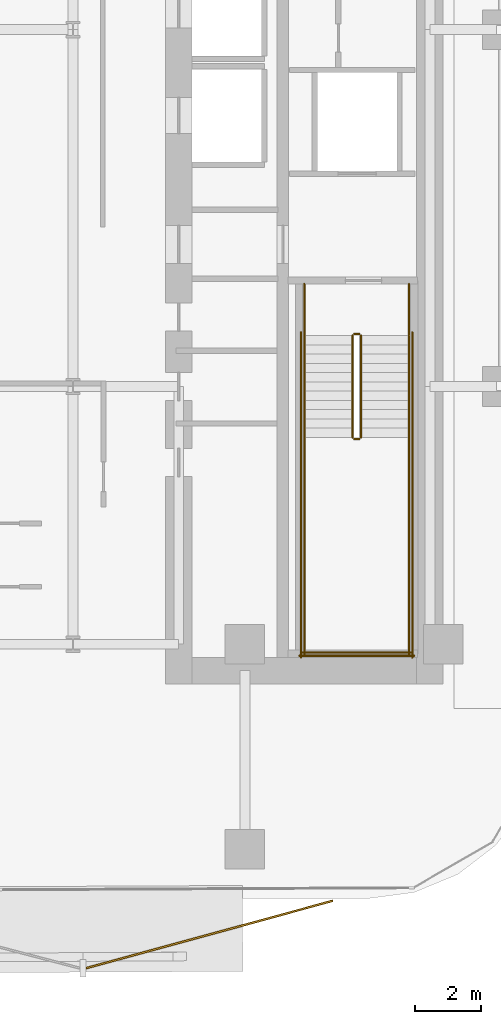
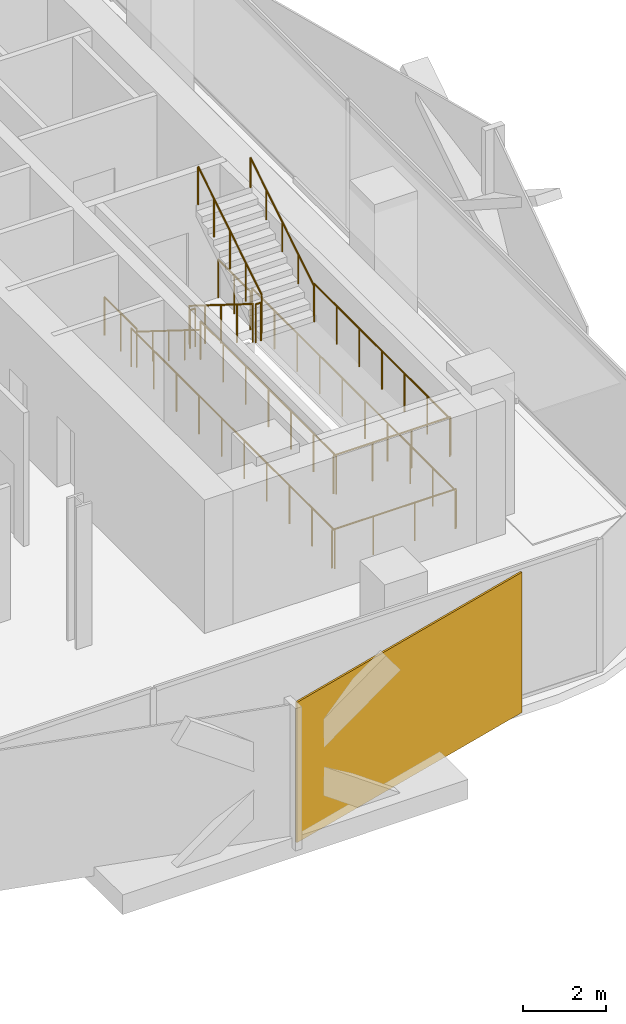
# One storey, part 13 of 16: 14 railings, 1 covering.
"""IFC4 building model written with IfcOpenShell, lengths in metres."""

from ifc_helpers import new_model, si_unit, direction, frame, origin, origin_2d, place, context, subcontext, project, spatial, rectangle, circle, extrude, material, layer, layer_set, type_object, element, save


model = new_model("IFC4")

# Units and contexts
model_context = context("Model", 3, precision=1e-05, world=origin(), true_north=direction((0.0, 1.0)))
body_context = subcontext(model_context, "Body", "Model", "MODEL_VIEW")
ifc_project = project(units=[si_unit("LENGTHUNIT", "METRE"), si_unit("AREAUNIT", "SQUARE_METRE"), si_unit("VOLUMEUNIT", "CUBIC_METRE"), si_unit("PLANEANGLEUNIT", "RADIAN"), si_unit("MASSUNIT", "GRAM", prefix="KILO")], contexts=[model_context])

# Site, building, storey
site_placement = place(None, origin())
site = spatial("IfcSite", under=ifc_project, at=site_placement, CompositionType="ELEMENT")
building_placement = place(site_placement, origin())
building = spatial("IfcBuilding", under=site, at=building_placement, Name="Khairoan Windgate Tower", CompositionType="ELEMENT")
storey_placement = place(building_placement, frame((0.0, 0.0, 97.39990234375)))
storey = spatial("IfcBuildingStorey", under=building, at=storey_placement, Name="L22", CompositionType="ELEMENT", Elevation=97.39990234375)

# Covering
ifc_material_1 = material(Name="Anodised Bronze Aluminium 6063-T6", Category="aluminium")
ifc_layer = layer(ifc_material_1, 0.054931640625, Name="Anodised Bronze Aluminium 6063-T6")
ifc_layer_set = layer_set([ifc_layer], Name="Anodised Bronze Aluminium 6063-T6")
covering_type = type_object("IfcCoveringType", Name="Perforated Bronze-Ceramic Folded Solar Screen Cladding BSC-1", PredefinedType="CLADDING", material=ifc_layer_set)
covering_placement = place(storey_placement, frame((13.326904296875, -27.384765625, -0.099609375), z_axis=(0.0, 0.0, 1.0), x_axis=(-0.964649468762, -0.263536339841, 0.0)))
element("IfcCovering", 1, at=covering_placement, inside=storey, type_object=covering_type, Name="L22 Folded Bronze Solar Screen Facet 121L", PredefinedType="CLADDING", context=body_context, shape_type="SweptSolid", body=[
    extrude(rectangle(XDim=7.739013671875, YDim=0.054931640625, at=origin_2d()), origin(), (0.0, 0.0, 1.0), 4.139892578125),
])

# Railings
ifc_material_2 = material(Name="Anodised Bronze Aluminium 6063-T6", Category="aluminium")
railing_type_1 = type_object("IfcRailingType", Name="Stair Wall Handrail SHR-900", PredefinedType="HANDRAIL", material=ifc_material_2)
railing_1_placement = place(storey_placement, frame((16.199951171875, -9.260009765625, 0.175048828125)))
element("IfcRailing", 2, at=railing_1_placement, inside=storey, type_object=railing_type_1, Name="L22 ST1 stair handrail 1", PredefinedType="HANDRAIL", context=body_context, shape_type="SweptSolid", body=[
    extrude(circle(Radius=0.02392578125, at=origin_2d()), frame((0.0, 0.0, 0.8759765625), z_axis=(0.0, -0.847998304005, 0.529998940003), x_axis=(1.0, 0.0, 0.0)), (0.0, 0.0, 1.0), 3.632080078125),
    extrude(circle(Radius=0.02099609375, at=origin_2d()), origin(), (0.0, 0.0, 1.0), 0.851806640625),
    extrude(circle(Radius=0.02099609375, at=origin_2d()), frame((0.0, -0.77001953125, 0.481201171875)), (0.0, 0.0, 1.0), 0.851806640625),
    extrude(circle(Radius=0.02099609375, at=origin_2d()), frame((0.0, -1.5400390625, 0.96240234375)), (0.0, 0.0, 1.0), 0.851806640625),
    extrude(circle(Radius=0.02099609375, at=origin_2d()), frame((0.0, -2.31005859375, 1.44384765625)), (0.0, 0.0, 1.0), 0.851806640625),
    extrude(circle(Radius=0.02099609375, at=origin_2d()), frame((0.0, -3.080078125, 1.925048828125)), (0.0, 0.0, 1.0), 0.851806640625),
])
railing_2_placement = place(storey_placement, frame((19.3701171875, -12.340087890625, 2.275146484375)))
element("IfcRailing", 3, at=railing_2_placement, inside=storey, type_object=railing_type_1, Name="L22 ST1 stair handrail 2", PredefinedType="HANDRAIL", context=body_context, shape_type="SweptSolid", body=[
    extrude(circle(Radius=0.02392578125, at=origin_2d()), frame((0.0, 0.0, 0.8759765625), z_axis=(0.0, 0.847998304005, 0.529998940003), x_axis=(-1.0, 0.0, 0.0)), (0.0, 0.0, 1.0), 3.632080078125),
    extrude(circle(Radius=0.02099609375, at=origin_2d()), origin(), (0.0, 0.0, 1.0), 0.851806640625),
    extrude(circle(Radius=0.02099609375, at=origin_2d()), frame((0.0, 0.77001953125, 0.481201171875)), (0.0, 0.0, 1.0), 0.851806640625),
    extrude(circle(Radius=0.02099609375, at=origin_2d()), frame((0.0, 1.5400390625, 0.96240234375)), (0.0, 0.0, 1.0), 0.851806640625),
    extrude(circle(Radius=0.02099609375, at=origin_2d()), frame((0.0, 2.31005859375, 1.44384765625)), (0.0, 0.0, 1.0), 0.851806640625),
    extrude(circle(Radius=0.02099609375, at=origin_2d()), frame((0.0, 3.080078125, 1.925048828125)), (0.0, 0.0, 1.0), 0.851806640625),
])
ifc_material_3 = material(Name="Steel S355", Category="steel")
railing_type_2 = type_object("IfcRailingType", Name="Stairwell Safety Guardrail SGR-1150", PredefinedType="GUARDRAIL", material=ifc_material_3)
railing_3_placement = place(storey_placement, frame((17.659912109375, -9.260009765625, 0.175048828125)))
element("IfcRailing", 4, at=railing_3_placement, inside=storey, type_object=railing_type_2, Name="L22 ST1 stair guard 1", PredefinedType="GUARDRAIL", context=body_context, shape_type="SweptSolid", body=[
    extrude(circle(Radius=0.02392578125, at=origin_2d()), frame((0.0, 0.0, 1.1259765625), z_axis=(0.0, -0.847998304005, 0.529998940003), x_axis=(1.0, 0.0, 0.0)), (0.0, 0.0, 1.0), 3.632080078125),
    extrude(circle(Radius=0.02099609375, at=origin_2d()), origin(), (0.0, 0.0, 1.0), 1.101806640625),
    extrude(circle(Radius=0.02099609375, at=origin_2d()), frame((0.0, -0.77001953125, 0.481201171875)), (0.0, 0.0, 1.0), 1.101806640625),
    extrude(circle(Radius=0.02099609375, at=origin_2d()), frame((0.0, -1.5400390625, 0.96240234375)), (0.0, 0.0, 1.0), 1.101806640625),
    extrude(circle(Radius=0.02099609375, at=origin_2d()), frame((0.0, -2.31005859375, 1.44384765625)), (0.0, 0.0, 1.0), 1.101806640625),
    extrude(circle(Radius=0.02099609375, at=origin_2d()), frame((0.0, -3.080078125, 1.925048828125)), (0.0, 0.0, 1.0), 1.101806640625),
])
railing_4_placement = place(storey_placement, frame((17.7099609375, -12.389892578125, 2.10009765625)))
element("IfcRailing", 5, at=railing_4_placement, inside=storey, type_object=railing_type_2, Name="L22 ST1 stair guard 2", PredefinedType="GUARDRAIL", context=body_context, shape_type="SweptSolid", body=[
    extrude(circle(Radius=0.02392578125, at=origin_2d()), frame((0.0, 0.0, 1.1259765625), z_axis=(1.0, 0.0, 0.0), x_axis=(0.0, 1.0, 0.0)), (0.0, 0.0, 1.0), 0.150146484375),
    extrude(circle(Radius=0.02099609375, at=origin_2d()), origin(), (0.0, 0.0, 1.0), 1.101806640625),
    extrude(circle(Radius=0.02099609375, at=origin_2d()), frame((0.150146484375, 0.0, 0.0)), (0.0, 0.0, 1.0), 1.101806640625),
])
for number, where, name in (
    (6, (16.199951171875, -12.340087890625, 2.10009765625), "L22 ST1 stair guard 3"),
    (7, (19.3701171875, -12.340087890625, 2.10009765625), "L22 ST1 stair guard 4"),
):
    element("IfcRailing", number, at=place(storey_placement, frame(where)), inside=storey, type_object=railing_type_2, Name=name, PredefinedType="GUARDRAIL", context=body_context, shape_type="SweptSolid", body=[
        extrude(circle(Radius=0.02392578125, at=origin_2d()), frame((0.0, 0.0, 1.1259765625), z_axis=(0.0, -1.0, 0.0), x_axis=(1.0, 0.0, 0.0)), (0.0, 0.0, 1.0), 6.559814453125),
        extrude(circle(Radius=0.02099609375, at=origin_2d()), origin(), (0.0, 0.0, 1.0), 1.101806640625),
        extrude(circle(Radius=0.02099609375, at=origin_2d()), frame((0.0, -1.09326171875, 0.0)), (0.0, 0.0, 1.0), 1.101806640625),
        extrude(circle(Radius=0.02099609375, at=origin_2d()), frame((0.0, -2.1865234375, 0.0)), (0.0, 0.0, 1.0), 1.101806640625),
        extrude(circle(Radius=0.02099609375, at=origin_2d()), frame((0.0, -3.27978515625, 0.0)), (0.0, 0.0, 1.0), 1.101806640625),
        extrude(circle(Radius=0.02099609375, at=origin_2d()), frame((0.0, -4.373291015625, 0.0)), (0.0, 0.0, 1.0), 1.101806640625),
        extrude(circle(Radius=0.02099609375, at=origin_2d()), frame((0.0, -5.466552734375, 0.0)), (0.0, 0.0, 1.0), 1.101806640625),
        extrude(circle(Radius=0.02099609375, at=origin_2d()), frame((0.0, -6.559814453125, 0.0)), (0.0, 0.0, 1.0), 1.101806640625),
    ])
railing_5_placement = place(storey_placement, frame((16.14990234375, -18.85009765625, 2.10009765625)))
element("IfcRailing", 8, at=railing_5_placement, inside=storey, type_object=railing_type_2, Name="L22 ST1 stair guard 5", PredefinedType="GUARDRAIL", context=body_context, shape_type="SweptSolid", body=[
    extrude(circle(Radius=0.02392578125, at=origin_2d()), frame((0.0, 0.0, 1.1259765625), z_axis=(1.0, 0.0, 0.0), x_axis=(0.0, 1.0, 0.0)), (0.0, 0.0, 1.0), 3.27001953125),
    extrude(circle(Radius=0.02099609375, at=origin_2d()), origin(), (0.0, 0.0, 1.0), 1.101806640625),
    extrude(circle(Radius=0.02099609375, at=origin_2d()), frame((1.090087890625, 0.0, 0.0)), (0.0, 0.0, 1.0), 1.101806640625),
    extrude(circle(Radius=0.02099609375, at=origin_2d()), frame((2.179931640625, 0.0, 0.0)), (0.0, 0.0, 1.0), 1.101806640625),
    extrude(circle(Radius=0.02099609375, at=origin_2d()), frame((3.27001953125, 0.0, 0.0)), (0.0, 0.0, 1.0), 1.101806640625),
])
railing_6_placement = place(storey_placement, frame((17.909912109375, -12.340087890625, 2.275146484375)))
element("IfcRailing", 9, at=railing_6_placement, inside=storey, type_object=railing_type_2, Name="L22 ST1 stair guard 6", PredefinedType="GUARDRAIL", context=body_context, shape_type="SweptSolid", body=[
    extrude(circle(Radius=0.02392578125, at=origin_2d()), frame((0.0, 0.0, 1.1259765625), z_axis=(0.0, 0.847998304005, 0.529998940003), x_axis=(-1.0, 0.0, 0.0)), (0.0, 0.0, 1.0), 3.632080078125),
    extrude(circle(Radius=0.02099609375, at=origin_2d()), origin(), (0.0, 0.0, 1.0), 1.101806640625),
    extrude(circle(Radius=0.02099609375, at=origin_2d()), frame((0.0, 0.77001953125, 0.481201171875)), (0.0, 0.0, 1.0), 1.101806640625),
    extrude(circle(Radius=0.02099609375, at=origin_2d()), frame((0.0, 1.5400390625, 0.96240234375)), (0.0, 0.0, 1.0), 1.101806640625),
    extrude(circle(Radius=0.02099609375, at=origin_2d()), frame((0.0, 2.31005859375, 1.44384765625)), (0.0, 0.0, 1.0), 1.101806640625),
    extrude(circle(Radius=0.02099609375, at=origin_2d()), frame((0.0, 3.080078125, 1.925048828125)), (0.0, 0.0, 1.0), 1.101806640625),
])
railing_7_placement = place(storey_placement, frame((17.7099609375, -9.2099609375, 0.0)))
element("IfcRailing", 10, at=railing_7_placement, inside=storey, type_object=railing_type_2, Name="L22 ST1 stair guard 7", PredefinedType="GUARDRAIL", context=body_context, shape_type="SweptSolid", body=[
    extrude(circle(Radius=0.02392578125, at=origin_2d()), frame((0.0, 0.0, 1.1259765625), z_axis=(1.0, 0.0, 0.0), x_axis=(0.0, 1.0, 0.0)), (0.0, 0.0, 1.0), 0.150146484375),
    extrude(circle(Radius=0.02099609375, at=origin_2d()), origin(), (0.0, 0.0, 1.0), 1.101806640625),
    extrude(circle(Radius=0.02099609375, at=origin_2d()), frame((0.150146484375, 0.0, 0.0)), (0.0, 0.0, 1.0), 1.101806640625),
])
for number, where, name in (
    (11, (16.199951171875, -7.699951171875, 0.0), "L22 ST1 stair guard 8"),
    (12, (19.3701171875, -7.699951171875, 0.0), "L22 ST1 stair guard 9"),
):
    element("IfcRailing", number, at=place(storey_placement, frame(where)), inside=storey, type_object=railing_type_2, Name=name, PredefinedType="GUARDRAIL", context=body_context, shape_type="SweptSolid", body=[
        extrude(circle(Radius=0.02392578125, at=origin_2d()), frame((0.0, 0.0, 1.1259765625), z_axis=(0.0, -1.0, 0.0), x_axis=(1.0, 0.0, 0.0)), (0.0, 0.0, 1.0), 1.56005859375),
        extrude(circle(Radius=0.02099609375, at=origin_2d()), origin(), (0.0, 0.0, 1.0), 1.101806640625),
        extrude(circle(Radius=0.02099609375, at=origin_2d()), frame((0.0, -0.780029296875, 0.0)), (0.0, 0.0, 1.0), 1.101806640625),
        extrude(circle(Radius=0.02099609375, at=origin_2d()), frame((0.0, -1.56005859375, 0.0)), (0.0, 0.0, 1.0), 1.101806640625),
    ])
for number, where, name in (
    (13, (16.10009765625, -9.159912109375, 0.0), "L22 ST1 stair guard 10"),
    (14, (19.469970703125, -9.159912109375, 0.0), "L22 ST1 stair guard 11"),
):
    element("IfcRailing", number, at=place(storey_placement, frame(where)), inside=storey, type_object=railing_type_2, Name=name, PredefinedType="GUARDRAIL", context=body_context, shape_type="SweptSolid", body=[
        extrude(circle(Radius=0.02392578125, at=origin_2d()), frame((0.0, 0.0, 1.1259765625), z_axis=(0.0, -1.0, 0.0), x_axis=(1.0, 0.0, 0.0)), (0.0, 0.0, 1.0), 9.840087890625),
        extrude(circle(Radius=0.02099609375, at=origin_2d()), origin(), (0.0, 0.0, 1.0), 1.101806640625),
        extrude(circle(Radius=0.02099609375, at=origin_2d()), frame((0.0, -1.09326171875, 0.0)), (0.0, 0.0, 1.0), 1.101806640625),
        extrude(circle(Radius=0.02099609375, at=origin_2d()), frame((0.0, -2.186767578125, 0.0)), (0.0, 0.0, 1.0), 1.101806640625),
        extrude(circle(Radius=0.02099609375, at=origin_2d()), frame((0.0, -3.280029296875, 0.0)), (0.0, 0.0, 1.0), 1.101806640625),
        extrude(circle(Radius=0.02099609375, at=origin_2d()), frame((0.0, -4.373291015625, 0.0)), (0.0, 0.0, 1.0), 1.101806640625),
        extrude(circle(Radius=0.02099609375, at=origin_2d()), frame((0.0, -5.466796875, 0.0)), (0.0, 0.0, 1.0), 1.101806640625),
        extrude(circle(Radius=0.02099609375, at=origin_2d()), frame((0.0, -6.56005859375, 0.0)), (0.0, 0.0, 1.0), 1.101806640625),
        extrude(circle(Radius=0.02099609375, at=origin_2d()), frame((0.0, -7.6533203125, 0.0)), (0.0, 0.0, 1.0), 1.101806640625),
        extrude(circle(Radius=0.02099609375, at=origin_2d()), frame((0.0, -8.746826171875, 0.0)), (0.0, 0.0, 1.0), 1.101806640625),
        extrude(circle(Radius=0.02099609375, at=origin_2d()), frame((0.0, -9.840087890625, 0.0)), (0.0, 0.0, 1.0), 1.101806640625),
    ])
railing_8_placement = place(storey_placement, frame((16.050048828125, -18.949951171875, 0.0)))
element("IfcRailing", 15, at=railing_8_placement, inside=storey, type_object=railing_type_2, Name="L22 ST1 stair guard 12", PredefinedType="GUARDRAIL", context=body_context, shape_type="SweptSolid", body=[
    extrude(circle(Radius=0.02392578125, at=origin_2d()), frame((0.0, 0.0, 1.1259765625), z_axis=(1.0, 0.0, 0.0), x_axis=(0.0, 1.0, 0.0)), (0.0, 0.0, 1.0), 3.469970703125),
    extrude(circle(Radius=0.02099609375, at=origin_2d()), origin(), (0.0, 0.0, 1.0), 1.101806640625),
    extrude(circle(Radius=0.02099609375, at=origin_2d()), frame((1.15673828125, 0.0, 0.0)), (0.0, 0.0, 1.0), 1.101806640625),
    extrude(circle(Radius=0.02099609375, at=origin_2d()), frame((2.313232421875, 0.0, 0.0)), (0.0, 0.0, 1.0), 1.101806640625),
    extrude(circle(Radius=0.02099609375, at=origin_2d()), frame((3.469970703125, 0.0, 0.0)), (0.0, 0.0, 1.0), 1.101806640625),
])

save(model, "model.ifc")
